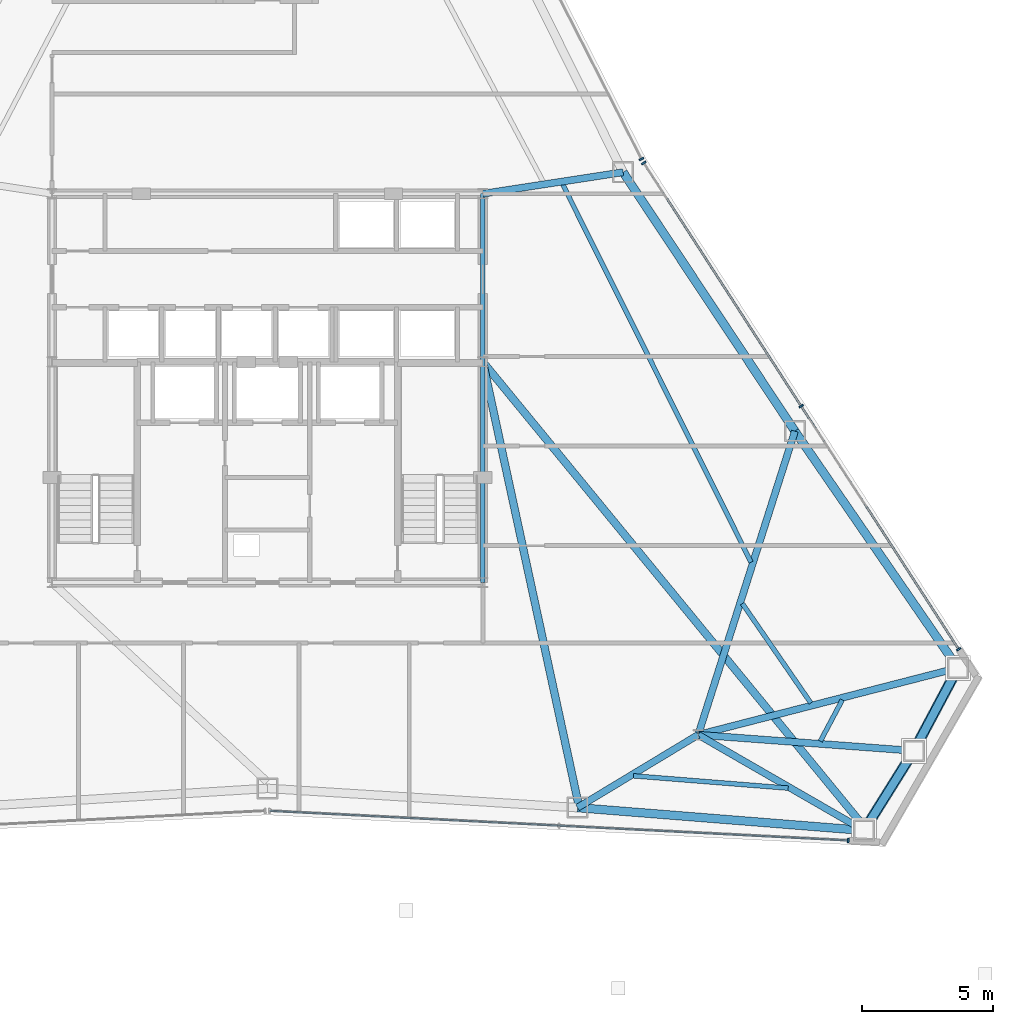
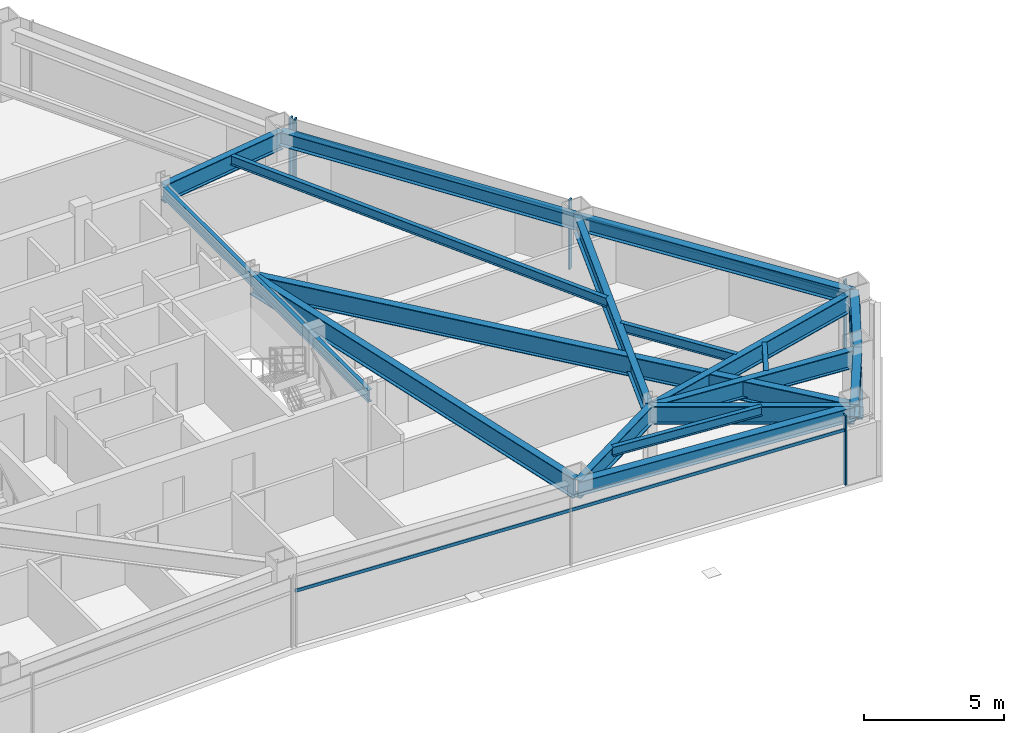
# One storey, part 6 of 12: 18 beams, 9 members, 3 elements without a shape of their own.
"""IFC4 building model written with IfcOpenShell, lengths in metres."""

import ifcopenshell
import ifcopenshell.guid

model = None  # the IFC model being written
_history = None  # IfcOwnerHistory: only IFC2X3 demands one
_inside = {}  # id of a spatial element -> (the spatial element, [elements in it])
_under = {}  # id of a project, library or spatial element -> (it, [spatial elements below it])
_declared = {}  # id of a project -> (the project, [libraries it declares])
_typed = {}  # id of a type object -> (the type object, [elements of that type])
_made_of = {}  # id of a material, layer set ... -> (it, [elements and type objects made of it])


def new_model(schema):
    """Start an empty IFC model of exactly this schema.

    Asked for "IFC4X3", IfcOpenShell would pick the latest addendum, in which some entities
    have other attributes; the version numbers below select the first issue.
    IFC2X3 requires an IfcOwnerHistory on every rooted entity: one is made here for all.
    """
    global model, _history
    if schema == "IFC4X3":
        model = ifcopenshell.file(schema_version=(4, 3, 0, 0))
    else:
        model = ifcopenshell.file(schema=schema)
    _inside.clear()
    _under.clear()
    _declared.clear()
    _typed.clear()
    _made_of.clear()
    _history = None
    if model.schema == "IFC2X3":
        org = make("IfcOrganization", Name="unknown")
        user = make(
            "IfcPersonAndOrganization",
            ThePerson=make("IfcPerson", FamilyName="unknown"),
            TheOrganization=org,
        )
        app = make(
            "IfcApplication",
            ApplicationDeveloper=org,
            Version="unknown",
            ApplicationFullName="unknown",
            ApplicationIdentifier="unknown",
        )
        _history = make(
            "IfcOwnerHistory",
            OwningUser=user,
            OwningApplication=app,
            ChangeAction="ADDED",
            CreationDate=0,
        )
    return model


def make(cls, **values):
    """One entity of the class cls with the attributes given. An attribute that is None is left unset."""
    return model.create_entity(
        cls, **{name: value for name, value in values.items() if value is not None}
    )


def rooted(cls, **values):
    """An entity with a GlobalId (a new one), such as an element, a storey or a relation."""
    return make(cls, GlobalId=ifcopenshell.guid.new(), OwnerHistory=_history, **values)


def si_unit(unit_type, name, prefix=None):
    """IfcSIUnit, for example si_unit("LENGTHUNIT", "METRE", prefix="MILLI")."""
    return make("IfcSIUnit", UnitType=unit_type, Prefix=prefix, Name=name)


def assignment(units):
    """IfcUnitAssignment: the units of a project."""
    return None if units is None else make("IfcUnitAssignment", Units=units)


def point(xyz):
    """IfcCartesianPoint."""
    return None if xyz is None else make("IfcCartesianPoint", Coordinates=xyz)


def direction(xyz):
    """IfcDirection."""
    return None if xyz is None else make("IfcDirection", DirectionRatios=xyz)


def frame(location, z_axis=None, x_axis=None):
    """IfcAxis2Placement3D, a coordinate frame: its origin and axes. An axis left out is left unset."""
    return make(
        "IfcAxis2Placement3D",
        Location=point(location),
        Axis=direction(z_axis),
        RefDirection=direction(x_axis),
    )


def frame_2d(location, x_axis=None):
    """IfcAxis2Placement2D, a coordinate frame in the plane: its origin and x axis."""
    return make(
        "IfcAxis2Placement2D", Location=point(location), RefDirection=direction(x_axis)
    )


def origin():
    """The frame at (0, 0, 0) with its axes left unset."""
    return frame((0.0, 0.0, 0.0))


def origin_2d():
    """The frame at (0, 0) in the plane with its x axis left unset."""
    return frame_2d((0.0, 0.0))


def place(relative_to, where):
    """IfcLocalPlacement: puts the frame where relative to a parent placement (None: the world)."""
    return make(
        "IfcLocalPlacement", PlacementRelTo=relative_to, RelativePlacement=where
    )


def context(
    kind, dimensions, precision=None, world=None, true_north=None, identifier=None
):
    """IfcGeometricRepresentationContext, for example the 3D "Model" context."""
    return make(
        "IfcGeometricRepresentationContext",
        ContextIdentifier=identifier,
        ContextType=kind,
        CoordinateSpaceDimension=dimensions,
        Precision=precision,
        WorldCoordinateSystem=world,
        TrueNorth=true_north,
    )


def subcontext(parent, identifier, kind, view, scale=None):
    """IfcGeometricRepresentationSubContext, for example "Body" below "Model"."""
    return make(
        "IfcGeometricRepresentationSubContext",
        ContextIdentifier=identifier,
        ContextType=kind,
        ParentContext=parent,
        TargetScale=scale,
        TargetView=view,
    )


def project(units=None, contexts=None):
    """IfcProject with its units and contexts."""
    return rooted(
        "IfcProject",
        Name="project",
        RepresentationContexts=contexts,
        UnitsInContext=assignment(units),
    )


def spatial(cls, under=None, at=None, **own):
    """A site, building, storey or space (cls), placed at a placement, below another one or the project."""
    s = rooted(cls, ObjectPlacement=at, **own)
    if under is not None:
        _under.setdefault(under.id(), (under, []))[1].append(s)
    return s


def profile(cls, at=None, kind="AREA", **sizes):
    """A parametric profile (cls). Its sizes go by their IFC names, for example OverallWidth=200.0."""
    return make(cls, ProfileType=kind, Position=at, **sizes)


def rectangle(**sizes):
    """IfcRectangleProfileDef."""
    return profile("IfcRectangleProfileDef", **sizes)


def hollow_rectangle(**sizes):
    """IfcRectangleHollowProfileDef."""
    return profile("IfcRectangleHollowProfileDef", **sizes)


def i_section(**sizes):
    """IfcIShapeProfileDef."""
    return profile("IfcIShapeProfileDef", **sizes)


def extrude(swept, where, along, depth):
    """IfcExtrudedAreaSolid: the profile swept, set in the frame where, extruded along a direction by depth."""
    return make(
        "IfcExtrudedAreaSolid",
        SweptArea=swept,
        Position=where,
        ExtrudedDirection=direction(along),
        Depth=depth,
    )


def shape(context_of_items, identifier, shape_type, items):
    """IfcShapeRepresentation: the items that make up one representation, for example the "Body"."""
    return make(
        "IfcShapeRepresentation",
        ContextOfItems=context_of_items,
        RepresentationIdentifier=identifier,
        RepresentationType=shape_type,
        Items=items,
    )


def source(mapping_origin, context_of_items, identifier, shape_type, items):
    """IfcRepresentationMap: a shape defined once, which mapped items show again and again."""
    return make(
        "IfcRepresentationMap",
        MappingOrigin=mapping_origin,
        MappedRepresentation=shape(context_of_items, identifier, shape_type, items),
    )


def transform(
    local_origin,
    x_axis=None,
    y_axis=None,
    z_axis=None,
    scale=None,
    scale2=None,
    scale3=None,
    uniform=True,
):
    """IfcCartesianTransformationOperator3D, or its non-uniform kind. x_axis, y_axis, z_axis: its Axis1, 2, 3."""
    if uniform:
        return make(
            "IfcCartesianTransformationOperator3D",
            Axis1=direction(x_axis),
            Axis2=direction(y_axis),
            LocalOrigin=point(local_origin),
            Scale=scale,
            Axis3=direction(z_axis),
        )
    return make(
        "IfcCartesianTransformationOperator3DnonUniform",
        Axis1=direction(x_axis),
        Axis2=direction(y_axis),
        LocalOrigin=point(local_origin),
        Scale=scale,
        Axis3=direction(z_axis),
        Scale2=scale2,
        Scale3=scale3,
    )


def mapped(mapping_source, mapping_target):
    """IfcMappedItem: shows the shape of a source again, moved by a transform."""
    return make(
        "IfcMappedItem", MappingSource=mapping_source, MappingTarget=mapping_target
    )


def material(Name=None, Category=None):
    """IfcMaterial."""
    return make("IfcMaterial", Name=Name, Category=Category)


def layer(
    of_material, thickness, ventilated=None, Name=None, Category=None, Priority=None
):
    """IfcMaterialLayer: one layer of a wall or slab, of a material (None: an air gap)."""
    return make(
        "IfcMaterialLayer",
        Material=of_material,
        LayerThickness=thickness,
        IsVentilated=ventilated,
        Name=Name,
        Category=Category,
        Priority=Priority,
    )


def layer_set(layers, Name=None):
    """IfcMaterialLayerSet."""
    return make("IfcMaterialLayerSet", MaterialLayers=layers, LayerSetName=Name)


def material_profile(
    of_material, cross_section, Name=None, Category=None, Priority=None
):
    """IfcMaterialProfile: a cross section and its material."""
    return make(
        "IfcMaterialProfile",
        Name=Name,
        Material=of_material,
        Profile=cross_section,
        Priority=Priority,
        Category=Category,
    )


def profile_set(profiles, Name=None, composite=None):
    """IfcMaterialProfileSet."""
    return make(
        "IfcMaterialProfileSet",
        Name=Name,
        MaterialProfiles=profiles,
        CompositeProfile=composite,
    )


def made_of(thing, what):
    """Note that an element or type object is made of a material, layer set ...; save() writes the relation."""
    if what is not None:
        _made_of.setdefault(what.id(), (what, []))[1].append(thing)
    return thing


def type_object(cls, material=None, **own):
    """A type object (cls), such as IfcWallType, which elements share."""
    return made_of(rooted(cls, **own), material)


def type_shapes(of_type, sources):
    """Give a type object the sources (RepresentationMaps) that its elements show as mapped items."""
    of_type.RepresentationMaps = sources


def element(
    cls,
    number,
    at=None,
    inside=None,
    cuts=None,
    type_object=None,
    material=None,
    context=None,
    identifier="Body",
    shape_type=None,
    held_by="IfcProductDefinitionShape",
    body=None,
    shapes=None,
    **own,
):
    """One element of the class cls, such as IfcWall. Its Tag is "e" and its number.

    at: its placement. inside: the storey or other place that contains it. cuts: it is an
    opening in that element (IfcRelVoidsElement). A single representation is given by context,
    identifier, shape_type and body (its items); several are given by shapes. held_by: the class
    of the entity that holds the representations. save() writes the other relations.
    """
    e = rooted(cls, Tag="e%d" % number, ObjectPlacement=at, **own)
    if body is not None:
        shapes = [shape(context, identifier, shape_type, body)]
    if shapes is not None:
        e.Representation = make(held_by, Representations=shapes)
    if inside is not None:
        _inside.setdefault(inside.id(), (inside, []))[1].append(e)
    if cuts is not None:
        rooted(
            "IfcRelVoidsElement", RelatingBuildingElement=cuts, RelatedOpeningElement=e
        )
    if type_object is not None:
        _typed.setdefault(type_object.id(), (type_object, []))[1].append(e)
    return made_of(e, material)


def aggregate(whole, parts):
    """IfcRelAggregates: a whole, such as a stair, and the parts it consists of."""
    return rooted("IfcRelAggregates", RelatingObject=whole, RelatedObjects=parts)


def save(model, path):
    """Write the relations noted so far, then the file.

    IfcRelAggregates (storeys below a building ...), IfcRelContainedInSpatialStructure (elements
    in a storey), IfcRelDefinesByType, IfcRelAssociatesMaterial and IfcRelDeclares: one each for
    every whole, place, type object, material and project.
    """
    for whole, parts in _under.values():
        aggregate(whole, parts)
    for where, things in _inside.values():
        rooted(
            "IfcRelContainedInSpatialStructure",
            RelatedElements=things,
            RelatingStructure=where,
        )
    for kind, things in _typed.values():
        rooted("IfcRelDefinesByType", RelatedObjects=things, RelatingType=kind)
    for what, things in _made_of.values():
        rooted("IfcRelAssociatesMaterial", RelatedObjects=things, RelatingMaterial=what)
    for by, libraries in _declared.values():
        rooted("IfcRelDeclares", RelatingContext=by, RelatedDefinitions=libraries)
    model.write(path)


model = new_model("IFC4")

# Units and contexts
model_context = context("Model", 3, precision=1e-05, world=origin(), true_north=direction((0.0, 1.0)))
body_context = subcontext(model_context, "Body", "Model", "MODEL_VIEW")
ifc_project = project(units=[si_unit("LENGTHUNIT", "METRE"), si_unit("AREAUNIT", "SQUARE_METRE"), si_unit("VOLUMEUNIT", "CUBIC_METRE"), si_unit("PLANEANGLEUNIT", "RADIAN"), si_unit("MASSUNIT", "GRAM", prefix="KILO")], contexts=[model_context])

# Site, building, storey
site_placement = place(None, origin())
site = spatial("IfcSite", under=ifc_project, at=site_placement, CompositionType="ELEMENT")
building_placement = place(site_placement, origin())
building = spatial("IfcBuilding", under=site, at=building_placement, Name="Varakhsha Concourse Tower", CompositionType="ELEMENT")
storey_placement = place(building_placement, frame((0.0, 0.0, 193.050048828125)))
storey = spatial("IfcBuildingStorey", under=building, at=storey_placement, Name="L55", CompositionType="ELEMENT", Elevation=193.050048828125)

# Beams
ifc_material_1 = material(Name="Structural Steel ASTM A992 Grade 50", Category="steel")
ifc_material_profile_1 = material_profile(ifc_material_1, i_section(OverallWidth=0.26611328125, OverallDepth=0.779052734375, WebThickness=0.01708984375, FlangeThickness=0.030029296875, at=origin_2d()), Name="W30X148")
ifc_profile_set_1 = profile_set([ifc_material_profile_1], Name="Structural Steel ASTM A992 Grade 50")
beam_type_1 = type_object("IfcBeamType", Name="BM-BASE-W30X148", PredefinedType="USERDEFINED", material=ifc_profile_set_1)
beam_1_placement = place(storey_placement, frame((56.39990234375, 10.60009765625, 2.640380859375), z_axis=(-0.856104708788, -0.516802406719, 0.0), x_axis=(0.516802406719, -0.856104708788, 0.0)))
element("IfcBeam", 1, at=beam_1_placement, inside=storey, type_object=beam_type_1, Name="L55 Radial Floor Girder 12", ObjectType="GIRDER", PredefinedType="USERDEFINED", context=body_context, shape_type="SweptSolid", body=[
    extrude(i_section(OverallWidth=0.26611328125, OverallDepth=0.779052734375, WebThickness=0.01708984375, FlangeThickness=0.030029296875, at=origin_2d()), origin(), (0.0, 0.0, 1.0), 5.365478515625),
])
beam_2_placement = place(storey_placement, frame((56.39990234375, 10.60009765625, 2.640380859375), z_axis=(0.866349426019, -0.499438356593, 0.0), x_axis=(0.499438356593, 0.866349426019, 0.0)))
element("IfcBeam", 2, at=beam_2_placement, inside=storey, type_object=beam_type_1, Name="L55 Radial Floor Girder 13", ObjectType="GIRDER", PredefinedType="USERDEFINED", context=body_context, shape_type="SweptSolid", body=[
    extrude(i_section(OverallWidth=0.26611328125, OverallDepth=0.779052734375, WebThickness=0.01708984375, FlangeThickness=0.030029296875, at=origin_2d()), origin(), (0.0, 0.0, 1.0), 7.29150390625),
])
beam_3_placement = place(storey_placement, frame((56.39990234375, 10.60009765625, 2.640380859375), z_axis=(0.997259576834, -0.073982000601, 0.0), x_axis=(0.073982000601, 0.997259576834, 0.0)))
element("IfcBeam", 3, at=beam_3_placement, inside=storey, type_object=beam_type_1, Name="L55 Radial Floor Girder 14", ObjectType="GIRDER", PredefinedType="USERDEFINED", context=body_context, shape_type="SweptSolid", body=[
    extrude(i_section(OverallWidth=0.26611328125, OverallDepth=0.779052734375, WebThickness=0.01708984375, FlangeThickness=0.030029296875, at=origin_2d()), origin(), (0.0, 0.0, 1.0), 8.2333984375),
])
beam_4_placement = place(storey_placement, frame((56.39990234375, 10.60009765625, 2.640380859375), z_axis=(0.968394014565, 0.249425404788, 0.0), x_axis=(-0.249425404788, 0.968394014565, 0.0)))
element("IfcBeam", 4, at=beam_4_placement, inside=storey, type_object=beam_type_1, Name="L55 Radial Floor Girder 15", ObjectType="GIRDER", PredefinedType="USERDEFINED", context=body_context, shape_type="SweptSolid", body=[
    extrude(i_section(OverallWidth=0.26611328125, OverallDepth=0.779052734375, WebThickness=0.01708984375, FlangeThickness=0.030029296875, at=origin_2d()), origin(), (0.0, 0.0, 1.0), 10.212890625),
])
beam_5_placement = place(storey_placement, frame((56.39990234375, 10.60009765625, 2.640380859375), z_axis=(0.303499298643, 0.952831661797, 0.0), x_axis=(-0.952831661797, 0.303499298643, 0.0)))
element("IfcBeam", 5, at=beam_5_placement, inside=storey, type_object=beam_type_1, Name="L55 Radial Floor Girder 16", ObjectType="GIRDER", PredefinedType="USERDEFINED", context=body_context, shape_type="SweptSolid", body=[
    extrude(i_section(OverallWidth=0.26611328125, OverallDepth=0.779052734375, WebThickness=0.01708984375, FlangeThickness=0.030029296875, at=origin_2d()), origin(), (0.0, 0.0, 1.0), 12.1337890625),
])
beam_6_placement = place(storey_placement, frame((48.199951171875, 31.199951171875, 2.640380859375), z_axis=(0.988452490502, 0.151531099184, 0.0), x_axis=(-0.151531099184, 0.988452490502, 0.0)))
element("IfcBeam", 6, at=beam_6_placement, inside=storey, type_object=beam_type_1, Name="L55 Radial Floor Girder 17", ObjectType="GIRDER", PredefinedType="USERDEFINED", context=body_context, shape_type="SweptSolid", body=[
    extrude(i_section(OverallWidth=0.26611328125, OverallDepth=0.779052734375, WebThickness=0.01708984375, FlangeThickness=0.030029296875, at=origin_2d()), origin(), (0.0, 0.0, 1.0), 5.405517578125),
])
ifc_material_profile_2 = material_profile(ifc_material_1, i_section(OverallWidth=0.177978515625, OverallDepth=0.406982421875, WebThickness=0.008056640625, FlangeThickness=0.012939453125, at=origin_2d()), Name="W16X40")
ifc_profile_set_2 = profile_set([ifc_material_profile_2], Name="Structural Steel ASTM A992 Grade 50")
beam_type_2 = type_object("IfcBeamType", Name="BM-JST-W16X40", PredefinedType="JOIST", material=ifc_profile_set_2)
beam_7_placement = place(storey_placement, frame((53.937255859375, 9.03857421875, 2.826416015625), z_axis=(0.99684228263, -0.079406949072, 0.0), x_axis=(0.079406949072, 0.99684228263, 0.0)))
element("IfcBeam", 7, at=beam_7_placement, inside=storey, type_object=beam_type_2, Name="BM-TJST-L55-12", PredefinedType="JOIST", context=body_context, shape_type="SweptSolid", body=[
    extrude(i_section(OverallWidth=0.177978515625, OverallDepth=0.406982421875, WebThickness=0.008056640625, FlangeThickness=0.012939453125, at=origin_2d()), origin(), (0.0, 0.0, 1.0), 5.9091796875),
])
beam_8_placement = place(storey_placement, frame((61.0498046875, 10.35595703125, 2.826416015625), z_axis=(0.469592526263, 0.882883264808, 0.0), x_axis=(-0.882883264808, 0.469592526263, 0.0)))
element("IfcBeam", 8, at=beam_8_placement, inside=storey, type_object=beam_type_2, Name="BM-TJST-L55-14", PredefinedType="JOIST", context=body_context, shape_type="SweptSolid", body=[
    extrude(i_section(OverallWidth=0.177978515625, OverallDepth=0.406982421875, WebThickness=0.008056640625, FlangeThickness=0.012939453125, at=origin_2d()), origin(), (0.0, 0.0, 1.0), 1.7822265625),
])
beam_9_placement = place(storey_placement, frame((60.689208984375, 11.8115234375, 2.826416015625), z_axis=(-0.567141906344, 0.823620093289, 0.0), x_axis=(-0.823620093289, -0.567141906344, 0.0)))
element("IfcBeam", 9, at=beam_9_placement, inside=storey, type_object=beam_type_2, Name="BM-TJST-L55-15", PredefinedType="JOIST", context=body_context, shape_type="SweptSolid", body=[
    extrude(i_section(OverallWidth=0.177978515625, OverallDepth=0.406982421875, WebThickness=0.008056640625, FlangeThickness=0.012939453125, at=origin_2d()), origin(), (0.0, 0.0, 1.0), 4.595703125),
])
beam_10_placement = place(storey_placement, frame((58.4130859375, 17.173095703125, 2.826416015625), z_axis=(-0.446131957572, 0.894967192937, 0.0), x_axis=(-0.894967192937, -0.446131957572, 0.0)))
element("IfcBeam", 10, at=beam_10_placement, inside=storey, type_object=beam_type_2, Name="BM-TJST-L55-16", PredefinedType="JOIST", context=body_context, shape_type="SweptSolid", body=[
    extrude(i_section(OverallWidth=0.177978515625, OverallDepth=0.406982421875, WebThickness=0.008056640625, FlangeThickness=0.012939453125, at=origin_2d()), origin(), (0.0, 0.0, 1.0), 16.07568359375),
])
ifc_material_profile_3 = material_profile(ifc_material_1, i_section(OverallWidth=0.2919921875, OverallDepth=0.85888671875, WebThickness=0.01708984375, FlangeThickness=0.031005859375, at=origin_2d()), Name="W33X169")
ifc_profile_set_3 = profile_set([ifc_material_profile_3], Name="Structural Steel ASTM A992 Grade 50")
beam_type_3 = type_object("IfcBeamType", Name="BM-POOL-W33X169", PredefinedType="USERDEFINED", material=ifc_profile_set_3)
beam_11_placement = place(storey_placement, frame((48.199951171875, 24.800048828125, 2.600341796875), z_axis=(0.211503606366, -0.977377217094, 0.0), x_axis=(0.977377217094, 0.211503606366, 0.0)))
element("IfcBeam", 11, at=beam_11_placement, inside=storey, type_object=beam_type_3, Name="Sky Pool Truss SPT-M Back-Span Bottom Chord", ObjectType="GIRDER", PredefinedType="USERDEFINED", context=body_context, shape_type="SweptSolid", body=[
    extrude(i_section(OverallWidth=0.2919921875, OverallDepth=0.85888671875, WebThickness=0.01708984375, FlangeThickness=0.031005859375, at=origin_2d()), origin(), (0.0, 0.0, 1.0), 17.197021484375),
])
beam_12_placement = place(storey_placement, frame((48.199951171875, 24.800048828125, 2.600341796875), z_axis=(0.63416412379, -0.773198463589, 0.0), x_axis=(0.773198463589, 0.63416412379, 0.0)))
element("IfcBeam", 12, at=beam_12_placement, inside=storey, type_object=beam_type_3, Name="Sky Pool Truss SPT-2 Back-Span Bottom Chord", ObjectType="GIRDER", PredefinedType="USERDEFINED", context=body_context, shape_type="SweptSolid", body=[
    extrude(i_section(OverallWidth=0.2919921875, OverallDepth=0.85888671875, WebThickness=0.01708984375, FlangeThickness=0.031005859375, at=origin_2d()), origin(), (0.0, 0.0, 1.0), 22.96630859375),
])
ifc_material_profile_4 = material_profile(ifc_material_1, i_section(OverallWidth=0.1669921875, OverallDepth=0.534912109375, WebThickness=0.010009765625, FlangeThickness=0.01708984375, at=origin_2d()), Name="W21X57")
ifc_profile_set_4 = profile_set([ifc_material_profile_4], Name="Structural Steel ASTM A992 Grade 50")
beam_type_4 = type_object("IfcBeamType", Name="BM-RAD-W21X57", PredefinedType="BEAM", material=ifc_profile_set_4)
beam_13_placement = place(storey_placement, frame((48.199951171875, 16.39990234375, 2.762451171875), z_axis=(0.0, 1.0, 0.0), x_axis=(-1.0, 0.0, 0.0)))
element("IfcBeam", 13, at=beam_13_placement, inside=storey, type_object=beam_type_4, Name="BM-TCORE-L55-CE", PredefinedType="BEAM", context=body_context, shape_type="SweptSolid", body=[
    extrude(i_section(OverallWidth=0.1669921875, OverallDepth=0.534912109375, WebThickness=0.010009765625, FlangeThickness=0.01708984375, at=origin_2d()), origin(), (0.0, 0.0, 1.0), 14.800048828125),
])
ifc_material_profile_5 = material_profile(ifc_material_1, i_section(OverallWidth=0.323974609375, OverallDepth=0.611083984375, WebThickness=0.012939453125, FlangeThickness=0.01904296875, at=origin_2d()), Name="W24X104")
ifc_profile_set_5 = profile_set([ifc_material_profile_5], Name="Structural Steel ASTM A992 Grade 50")
beam_type_5 = type_object("IfcBeamType", Name="BM-SPAN-W24X104", PredefinedType="SPANDREL", material=ifc_profile_set_5)
beam_14_placement = place(storey_placement, frame((51.806396484375, 7.8271484375, 2.724365234375), z_axis=(0.99684556272, -0.079365761421, 0.0), x_axis=(0.079365761421, 0.99684556272, 0.0)))
element("IfcBeam", 14, at=beam_14_placement, inside=storey, type_object=beam_type_5, Name="BM-SPAN-L55-12", PredefinedType="SPANDREL", context=body_context, shape_type="SweptSolid", body=[
    extrude(i_section(OverallWidth=0.323974609375, OverallDepth=0.611083984375, WebThickness=0.012939453125, FlangeThickness=0.01904296875, at=origin_2d()), origin(), (0.0, 0.0, 1.0), 10.94482421875),
])
for number, where, z_axis, x_axis, name in (
    (15, (62.716796875, 6.95849609375, 2.724365234375), (0.529747263276, 0.848155550033, 0.0), (-0.848155550033, 0.529747263276, 0.0), "BM-SPAN-L55-13"),
    (16, (64.61083984375, 9.990966796875, 2.724365234375), (0.46965940276, 0.88284769094, 0.0), (-0.88284769094, 0.46965940276, 0.0), "BM-SPAN-L55-14"),
):
    element("IfcBeam", number, at=place(storey_placement, frame(where, z_axis=z_axis, x_axis=x_axis)), inside=storey, type_object=beam_type_5, Name=name, PredefinedType="SPANDREL", context=body_context, shape_type="SweptSolid", body=[
        extrude(i_section(OverallWidth=0.323974609375, OverallDepth=0.611083984375, WebThickness=0.012939453125, FlangeThickness=0.01904296875, at=origin_2d()), origin(), (0.0, 0.0, 1.0), 3.575439453125),
    ])
beam_15_placement = place(storey_placement, frame((66.2900390625, 13.1474609375, 2.724365234375), z_axis=(-0.567166727317, 0.823603001102, 0.0), x_axis=(-0.823603001102, -0.567166727317, 0.0)))
element("IfcBeam", 17, at=beam_15_placement, inside=storey, type_object=beam_type_5, Name="BM-SPAN-L55-15", PredefinedType="SPANDREL", context=body_context, shape_type="SweptSolid", body=[
    extrude(i_section(OverallWidth=0.323974609375, OverallDepth=0.611083984375, WebThickness=0.012939453125, FlangeThickness=0.01904296875, at=origin_2d()), origin(), (0.0, 0.0, 1.0), 10.94482421875),
])
beam_16_placement = place(storey_placement, frame((60.08251953125, 22.16162109375, 2.724365234375), z_axis=(-0.552822271607, 0.833299187576, 0.0), x_axis=(-0.833299187576, -0.552822271607, 0.0)))
element("IfcBeam", 18, at=beam_16_placement, inside=storey, type_object=beam_type_5, Name="BM-SPAN-L55-16", PredefinedType="SPANDREL", context=body_context, shape_type="SweptSolid", body=[
    extrude(i_section(OverallWidth=0.323974609375, OverallDepth=0.611083984375, WebThickness=0.012939453125, FlangeThickness=0.01904296875, at=origin_2d()), origin(), (0.0, 0.0, 1.0), 11.829345703125),
])

# Members
ifc_material_2 = material(Name="Structural Steel ASTM A500 Grade C", Category="steel")
ifc_material_profile_6 = material_profile(ifc_material_2, hollow_rectangle(XDim=0.39990234375, YDim=0.39990234375, WallThickness=0.01611328125, at=origin_2d()), Name="HSS 400x400x16")
ifc_profile_set_6 = profile_set([ifc_material_profile_6], Name="Structural Steel ASTM A500 Grade C")
member_type_1 = type_object("IfcMemberType", Name="MB-TUBE-HSS400", PredefinedType="BRACE", material=ifc_profile_set_6)
shared_shape_1 = source(origin(), body_context, "Body", "SweptSolid", [
    extrude(hollow_rectangle(XDim=0.39990234375, YDim=0.39990234375, WallThickness=0.01611328125, at=origin_2d()), origin(), (0.0, 0.0, 1.0), 4.4267578125),
])
type_shapes(member_type_1, [shared_shape_1])
for number, where, z_axis, x_axis, name in (
    (19, (64.61083984375, 9.990966796875, 0.119873046875), (-0.427865035453, -0.685036298706, 0.589624270949), (0.848155550033, -0.529747263276, 0.0), "L55 Wind-Corner Tube Brace B05"),
    (20, (64.61083984375, 9.990966796875, 0.119873046875), (0.379332834241, 0.713055279718, 0.5896259568), (-0.88284769094, 0.46965940276, 0.0), "L55 Wind-Corner Tube Brace B06"),
):
    element("IfcMember", number, at=place(storey_placement, frame(where, z_axis=z_axis, x_axis=x_axis)), inside=storey, type_object=member_type_1, Name=name, PredefinedType="BRACE", context=body_context, shape_type="MappedRepresentation", body=[
        mapped(shared_shape_1, transform((0.0, 0.0, 0.0), scale=1.0)),
    ])

# Curtain wall, member
ifc_material_3 = material(Name="Anodised Bronze Architectural Aluminium AA 6063-T6", Category="aluminium")
ifc_layer = layer(ifc_material_3, 0.2099609375, Name="CW-SYS-04")
ifc_layer_set = layer_set([ifc_layer], Name="Anodised Bronze Architectural Aluminium AA 6063-T6")
curtain_wall_type = type_object("IfcCurtainWallType", Name="CW-SYS-04", PredefinedType="NOTDEFINED", material=ifc_layer_set)
curtain_wall_1_placement = place(storey_placement, origin())
curtain_wall_1 = element("IfcCurtainWall", 21, at=curtain_wall_1_placement, inside=storey, type_object=curtain_wall_type, Name="L55 Crystal Curtain Wall F6", PredefinedType="NOTDEFINED")
ifc_material_profile_7 = material_profile(ifc_material_3, rectangle(XDim=0.06494140625, YDim=0.179931640625, at=origin_2d()), Name="CWM-180X65")
ifc_profile_set_7 = profile_set([ifc_material_profile_7], Name="Anodised Bronze Architectural Aluminium AA 6063-T6")
member_type_2 = type_object("IfcMemberType", Name="CWM-180X65", PredefinedType="MULLION", material=ifc_profile_set_7)
shared_shape_2 = source(origin(), body_context, "Body", "SweptSolid", [
    extrude(rectangle(XDim=0.06494140625, YDim=0.179931640625, at=origin_2d()), origin(), (0.0, 0.0, 1.0), 3.030029296875),
])
type_shapes(member_type_2, [shared_shape_2])
member_1_placement = place(storey_placement, frame((62.113037109375, 6.578857421875, 0.0), z_axis=(0.0, 0.0, 1.0), x_axis=(-0.998693889407, 0.051093201718, 0.0)))
member_1 = element("IfcMember", 22, at=member_1_placement, type_object=member_type_2, Name="CW-L55-F6 Mullion 00", PredefinedType="MULLION", context=body_context, shape_type="MappedRepresentation", body=[
    mapped(shared_shape_2, transform((0.0, 0.0, 0.0), scale=1.0)),
])

# Curtain wall, members
curtain_wall_2_placement = place(storey_placement, origin())
curtain_wall_2 = element("IfcCurtainWall", 23, at=curtain_wall_2_placement, inside=storey, type_object=curtain_wall_type, Name="L55 Crystal Curtain Wall F8", PredefinedType="NOTDEFINED")
member_2_placement = place(storey_placement, frame((54.32861328125, 32.370849609375, 0.0), z_axis=(0.0, 0.0, 1.0), x_axis=(0.543587630641, -0.8393524217, 0.0)))
member_2 = element("IfcMember", 24, at=member_2_placement, type_object=member_type_2, Name="CW-L55-F8 Mullion 00", PredefinedType="MULLION", context=body_context, shape_type="MappedRepresentation", body=[
    mapped(shared_shape_2, transform((0.0, 0.0, 0.0), scale=1.0)),
])
member_3_placement = place(storey_placement, frame((60.322509765625, 23.115478515625, 0.0), z_axis=(0.0, 0.0, 1.0), x_axis=(0.543587630641, -0.8393524217, 0.0)))
member_3 = element("IfcMember", 25, at=member_3_placement, type_object=member_type_2, Name="CW-L55-F8 Mullion 01", PredefinedType="MULLION", context=body_context, shape_type="MappedRepresentation", body=[
    mapped(shared_shape_2, transform((0.0, 0.0, 0.0), scale=1.0)),
])
member_4_placement = place(storey_placement, frame((66.316650390625, 13.860107421875, 0.0), z_axis=(0.0, 0.0, 1.0), x_axis=(0.543587630641, -0.8393524217, 0.0)))
member_4 = element("IfcMember", 26, at=member_4_placement, type_object=member_type_2, Name="CW-L55-F8 Mullion 02", PredefinedType="MULLION", context=body_context, shape_type="MappedRepresentation", body=[
    mapped(shared_shape_2, transform((0.0, 0.0, 0.0), scale=1.0)),
])

# Curtain wall, member
curtain_wall_3_placement = place(storey_placement, origin())
curtain_wall_3 = element("IfcCurtainWall", 27, at=curtain_wall_3_placement, inside=storey, type_object=curtain_wall_type, Name="L55 Crystal Curtain Wall F9", PredefinedType="NOTDEFINED")
member_5_placement = place(storey_placement, frame((54.240478515625, 32.5234375, 0.0), z_axis=(0.0, 0.0, 1.0), x_axis=(0.455102042277, -0.890439291089, 0.0)))
member_5 = element("IfcMember", 28, at=member_5_placement, type_object=member_type_2, Name="CW-L55-F9 Mullion 02", PredefinedType="MULLION", context=body_context, shape_type="MappedRepresentation", body=[
    mapped(shared_shape_2, transform((0.0, 0.0, 0.0), scale=1.0)),
])
aggregate(curtain_wall_3, [member_5])

# Member
ifc_material_profile_8 = material_profile(ifc_material_3, rectangle(XDim=0.06005859375, YDim=0.139892578125, at=origin_2d()), Name="CWT-140X60")
ifc_profile_set_8 = profile_set([ifc_material_profile_8], Name="Anodised Bronze Architectural Aluminium AA 6063-T6")
member_type_3 = type_object("IfcMemberType", Name="CWT-140X60", PredefinedType="USERDEFINED", material=ifc_profile_set_8)
shared_shape_3 = source(origin(), body_context, "Body", "SweptSolid", [
    extrude(rectangle(XDim=0.06005859375, YDim=0.139892578125, at=origin_2d()), origin(), (0.0, 0.0, 1.0), 22.0537109375),
])
member_6_placement = place(storey_placement, frame((62.113037109375, 6.578857421875, 2.3798828125), z_axis=(-0.998693522356, 0.051100375764, 0.0), x_axis=(-0.051100375764, -0.998693522356, 0.0)))
member_6 = element("IfcMember", 29, at=member_6_placement, type_object=member_type_3, Name="CW-L55-F6 Transom 01", ObjectType="TRANSOM", PredefinedType="USERDEFINED", context=body_context, shape_type="MappedRepresentation", body=[
    mapped(shared_shape_3, transform((0.0, 0.0, 0.0), scale=1.0)),
])

aggregate(curtain_wall_1, [member_1, member_6])

shared_shape_4 = source(origin(), body_context, "Body", "SweptSolid", [
    extrude(rectangle(XDim=0.06005859375, YDim=0.139892578125, at=origin_2d()), origin(), (0.0, 0.0, 1.0), 22.053466796875),
])
type_shapes(member_type_3, [shared_shape_3, shared_shape_4])
member_7_placement = place(storey_placement, frame((54.32861328125, 32.370849609375, 2.3798828125), z_axis=(0.543586773996, -0.839352976486, 0.0), x_axis=(0.839352976486, 0.543586773996, 0.0)))
member_7 = element("IfcMember", 30, at=member_7_placement, type_object=member_type_3, Name="CW-L55-F8 Transom 01", ObjectType="TRANSOM", PredefinedType="USERDEFINED", context=body_context, shape_type="MappedRepresentation", body=[
    mapped(shared_shape_4, transform((0.0, 0.0, 0.0), scale=1.0)),
])

aggregate(curtain_wall_2, [member_2, member_3, member_4, member_7])

save(model, "model.ifc")
